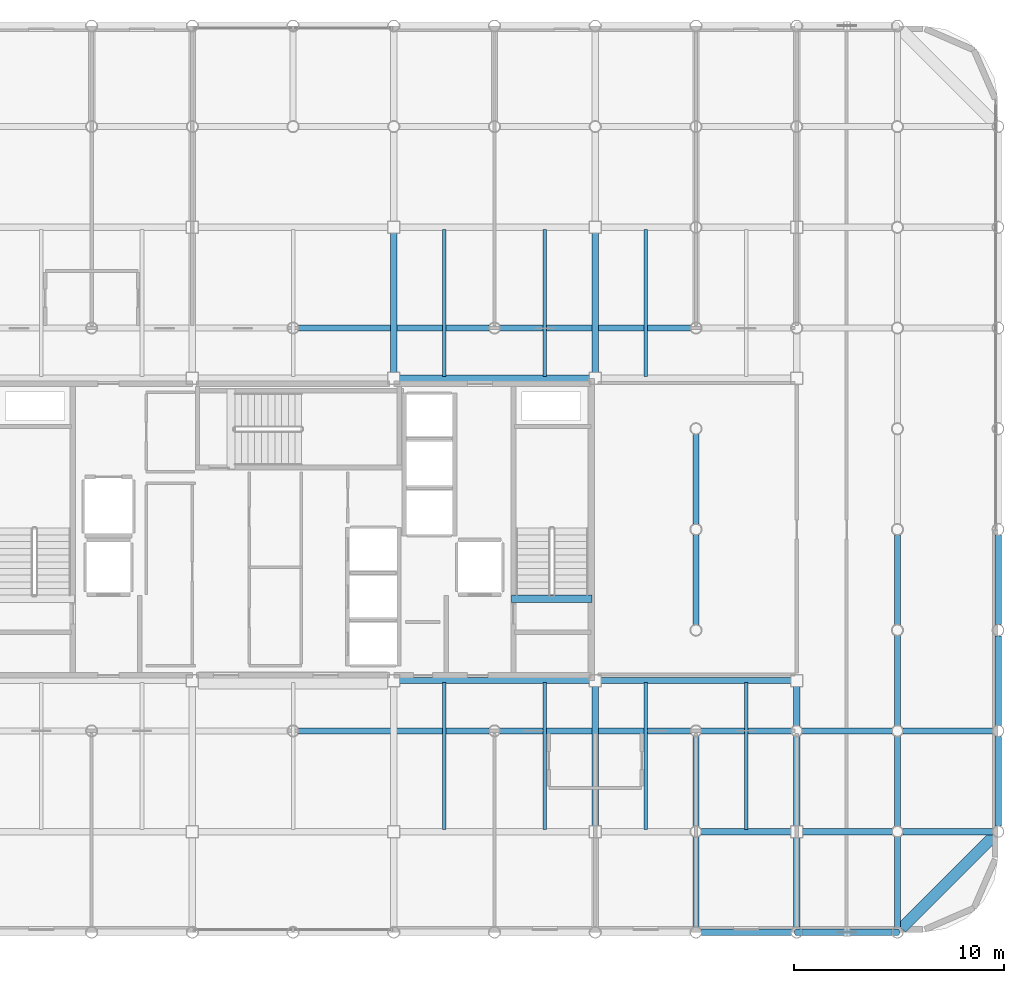
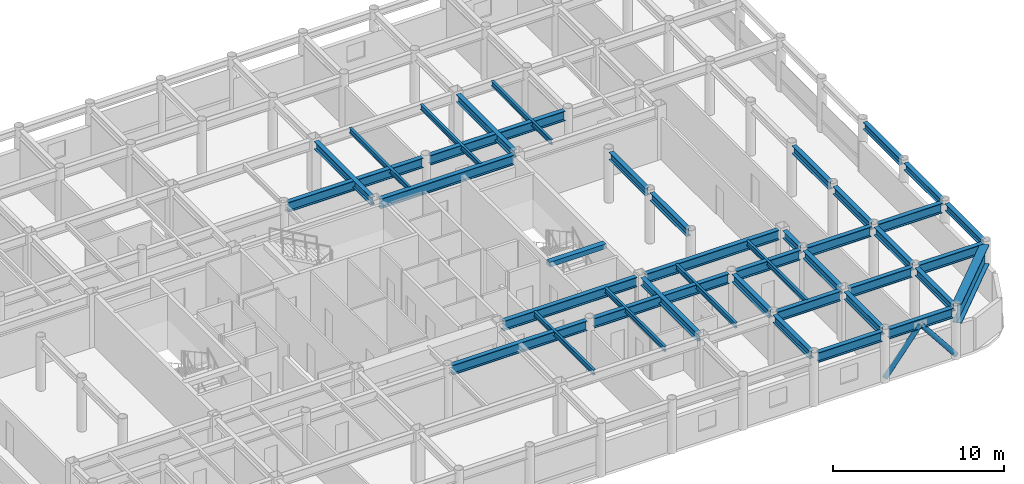
# One storey, part 9 of 22: 41 beams, 2 members.
"""IFC4 building model written with IfcOpenShell, lengths in metres."""

from ifc_helpers import new_model, si_unit, direction, frame, origin, origin_2d, place, context, subcontext, project, spatial, rectangle, hollow_circle, i_section, extrude, material, material_profile, profile_set, type_object, element, save


model = new_model("IFC4")

# Units and contexts
model_context = context("Model", 3, precision=1e-05, world=origin(), true_north=direction((0.0, 1.0)))
body_context = subcontext(model_context, "Body", "Model", "MODEL_VIEW")
ifc_project = project(units=[si_unit("LENGTHUNIT", "METRE"), si_unit("AREAUNIT", "SQUARE_METRE"), si_unit("VOLUMEUNIT", "CUBIC_METRE"), si_unit("PLANEANGLEUNIT", "RADIAN"), si_unit("MASSUNIT", "GRAM", prefix="KILO")], contexts=[model_context])

# Site, building, storey
site_placement = place(None, origin())
site = spatial("IfcSite", under=ifc_project, at=site_placement, CompositionType="ELEMENT")
building_placement = place(site_placement, origin())
building = spatial("IfcBuilding", under=site, at=building_placement, Name="Kallvorn Hotel Tower", CompositionType="ELEMENT")
storey_placement = place(building_placement, frame((0.0, 0.0, 230.0)))
storey = spatial("IfcBuildingStorey", under=building, at=storey_placement, Name="L57", CompositionType="ELEMENT", Elevation=230.0)

# Beams
ifc_material_1 = material(Name="Structural steel S355JR", Category="steel")
ifc_material_profile_1 = material_profile(ifc_material_1, i_section(OverallWidth=0.300048828125, OverallDepth=0.5, WebThickness=0.014404296875, FlangeThickness=0.028076171875, at=origin_2d()), Name="HE 500 B")
ifc_profile_set_1 = profile_set([ifc_material_profile_1], Name="Structural steel S355JR")
beam_type_1 = type_object("IfcBeamType", Name="BM_HE500B", PredefinedType="SPANDREL", material=ifc_profile_set_1)
beam_1_placement = place(storey_placement, frame((33.60009765625, -14.130615234375, 3.419921875), z_axis=(0.0, 1.0, 0.0), x_axis=(-1.0, 0.0, 0.0)))
element("IfcBeam", 1, at=beam_1_placement, inside=storey, type_object=beam_type_1, Name="L58 Perimeter Spandrel 182", PredefinedType="SPANDREL", context=body_context, shape_type="SweptSolid", body=[
    extrude(i_section(OverallWidth=0.300048828125, OverallDepth=0.5, WebThickness=0.014404296875, FlangeThickness=0.028076171875, at=origin_2d()), origin(), (0.0, 0.0, 1.0), 4.26123046875),
])
for number, where, z_axis, x_axis, name in (
    (2, (33.60009765625, -9.33056640625, 3.419921875), (0.0, 1.0, 0.0), (-1.0, 0.0, 0.0), "L58 Perimeter Spandrel 183"),
    (3, (33.60009765625, -4.530517578125, 3.419921875), (0.0, 1.0, 0.0), (-1.0, 0.0, 0.0), "L58 Perimeter Spandrel 184"),
):
    element("IfcBeam", number, at=place(storey_placement, frame(where, z_axis=z_axis, x_axis=x_axis)), inside=storey, type_object=beam_type_1, Name=name, PredefinedType="SPANDREL", context=body_context, shape_type="SweptSolid", body=[
        extrude(i_section(OverallWidth=0.300048828125, OverallDepth=0.5, WebThickness=0.014404296875, FlangeThickness=0.028076171875, at=origin_2d()), origin(), (0.0, 0.0, 1.0), 4.260986328125),
    ])
ifc_material_2 = material(Name="Structural steel S355JR", Category="steel")
ifc_material_profile_2 = material_profile(ifc_material_2, i_section(OverallWidth=0.300048828125, OverallDepth=0.550048828125, WebThickness=0.014892578125, FlangeThickness=0.029052734375, at=origin_2d()), Name="HE 550 B")
ifc_profile_set_2 = profile_set([ifc_material_profile_2], Name="Structural steel S355JR")
beam_type_2 = type_object("IfcBeamType", Name="BM_HE550B", PredefinedType="SPANDREL", material=ifc_profile_set_2)
for number, where, z_axis, x_axis, name in (
    (4, (4.800048828125, 7.47509765625, 3.39501953125), (0.0, 1.0, 0.0), (-1.0, 0.0, 0.0), "L58 Primary Y-Girder 115"),
    (5, (14.39990234375, -14.125, 3.39501953125), (0.0, 1.0, 0.0), (-1.0, 0.0, 0.0), "L58 Primary Y-Girder 122"),
    (6, (14.39990234375, 7.47509765625, 3.39501953125), (0.0, 1.0, 0.0), (-1.0, 0.0, 0.0), "L58 Primary Y-Girder 123"),
):
    element("IfcBeam", number, at=place(storey_placement, frame(where, z_axis=z_axis, x_axis=x_axis)), inside=storey, type_object=beam_type_2, Name=name, PredefinedType="SPANDREL", context=body_context, shape_type="SweptSolid", body=[
        extrude(i_section(OverallWidth=0.300048828125, OverallDepth=0.550048828125, WebThickness=0.014892578125, FlangeThickness=0.029052734375, at=origin_2d()), origin(), (0.0, 0.0, 1.0), 6.64990234375),
    ])
for number, where, z_axis, x_axis, name in (
    (7, (19.199951171875, -18.945556640625, 3.39501953125), (0.0, 1.0, 0.0), (-1.0, 0.0, 0.0), "L58 Primary Y-Girder 126"),
    (8, (19.199951171875, -14.1455078125, 3.39501953125), (0.0, 1.0, 0.0), (-1.0, 0.0, 0.0), "L58 Primary Y-Girder 127"),
    (9, (19.199951171875, -4.54541015625, 3.39501953125), (0.0, 1.0, 0.0), (-1.0, 0.0, 0.0), "L58 Primary Y-Girder 129"),
    (10, (19.199951171875, 0.25439453125, 3.39501953125), (0.0, 1.0, 0.0), (-1.0, 0.0, 0.0), "L58 Primary Y-Girder 130"),
):
    element("IfcBeam", number, at=place(storey_placement, frame(where, z_axis=z_axis, x_axis=x_axis)), inside=storey, type_object=beam_type_2, Name=name, PredefinedType="SPANDREL", context=body_context, shape_type="SweptSolid", body=[
        extrude(i_section(OverallWidth=0.300048828125, OverallDepth=0.550048828125, WebThickness=0.014892578125, FlangeThickness=0.029052734375, at=origin_2d()), origin(), (0.0, 0.0, 1.0), 4.291015625),
    ])
for number, where, z_axis, x_axis, name in (
    (11, (24.0, -18.945556640625, 3.39501953125), (0.0, 1.0, 0.0), (-1.0, 0.0, 0.0), "L58 Primary Y-Girder 135"),
    (12, (24.0, -14.125, 3.39501953125), (0.0, 1.0, 0.0), (-1.0, 0.0, 0.0), "L58 Primary Y-Girder 136"),
):
    element("IfcBeam", number, at=place(storey_placement, frame(where, z_axis=z_axis, x_axis=x_axis)), inside=storey, type_object=beam_type_2, Name=name, PredefinedType="SPANDREL", context=body_context, shape_type="SweptSolid", body=[
        extrude(i_section(OverallWidth=0.300048828125, OverallDepth=0.550048828125, WebThickness=0.014892578125, FlangeThickness=0.029052734375, at=origin_2d()), origin(), (0.0, 0.0, 1.0), 4.2705078125),
    ])
beam_2_placement = place(storey_placement, frame((24.0, -9.345458984375, 3.39501953125), z_axis=(0.0, 1.0, 0.0), x_axis=(-1.0, 0.0, 0.0)))
element("IfcBeam", 13, at=beam_2_placement, inside=storey, type_object=beam_type_2, Name="L58 Primary Y-Girder 137", PredefinedType="SPANDREL", context=body_context, shape_type="SweptSolid", body=[
    extrude(i_section(OverallWidth=0.300048828125, OverallDepth=0.550048828125, WebThickness=0.014892578125, FlangeThickness=0.029052734375, at=origin_2d()), origin(), (0.0, 0.0, 1.0), 1.870361328125),
])
for number, where, z_axis, x_axis, name in (
    (14, (28.800048828125, -18.945556640625, 3.39501953125), (0.0, 1.0, 0.0), (-1.0, 0.0, 0.0), "L58 Primary Y-Girder 142"),
    (15, (28.800048828125, -14.1455078125, 3.39501953125), (0.0, 1.0, 0.0), (-1.0, 0.0, 0.0), "L58 Primary Y-Girder 143"),
    (16, (28.800048828125, -9.345458984375, 3.39501953125), (0.0, 1.0, 0.0), (-1.0, 0.0, 0.0), "L58 Primary Y-Girder 144"),
    (17, (28.800048828125, -4.54541015625, 3.39501953125), (0.0, 1.0, 0.0), (-1.0, 0.0, 0.0), "L58 Primary Y-Girder 145"),
):
    element("IfcBeam", number, at=place(storey_placement, frame(where, z_axis=z_axis, x_axis=x_axis)), inside=storey, type_object=beam_type_2, Name=name, PredefinedType="SPANDREL", context=body_context, shape_type="SweptSolid", body=[
        extrude(i_section(OverallWidth=0.300048828125, OverallDepth=0.550048828125, WebThickness=0.014892578125, FlangeThickness=0.029052734375, at=origin_2d()), origin(), (0.0, 0.0, 1.0), 4.291015625),
    ])
ifc_material_3 = material(Name="Structural steel S355JR", Category="steel")
ifc_material_profile_3 = material_profile(ifc_material_3, i_section(OverallWidth=0.300048828125, OverallDepth=0.699951171875, WebThickness=0.01708984375, FlangeThickness=0.031982421875, at=origin_2d()), Name="HE 700 B")
ifc_profile_set_3 = profile_set([ifc_material_profile_3], Name="Structural steel S355JR")
beam_type_3 = type_object("IfcBeamType", Name="BM_HE700B", PredefinedType="BEAM", material=ifc_profile_set_3)
for number, where, z_axis, x_axis, name in (
    (18, (19.45458984375, -19.199951171875, 3.320068359375), (1.0, 0.0, 0.0), (0.0, 1.0, 0.0), "L58 Primary X-Girder 11"),
    (19, (24.25439453125, -19.199951171875, 3.320068359375), (1.0, 0.0, 0.0), (0.0, 1.0, 0.0), "L58 Primary X-Girder 12"),
):
    element("IfcBeam", number, at=place(storey_placement, frame(where, z_axis=z_axis, x_axis=x_axis)), inside=storey, type_object=beam_type_3, Name=name, PredefinedType="BEAM", context=body_context, shape_type="SweptSolid", body=[
        extrude(i_section(OverallWidth=0.300048828125, OverallDepth=0.699951171875, WebThickness=0.01708984375, FlangeThickness=0.031982421875, at=origin_2d()), origin(), (0.0, 0.0, 1.0), 4.291015625),
    ])
for number, where, z_axis, x_axis, name in (
    (20, (19.45458984375, -14.39990234375, 3.320068359375), (1.0, 0.0, 0.0), (0.0, 1.0, 0.0), "L58 Primary X-Girder 20"),
    (21, (24.27490234375, -14.39990234375, 3.320068359375), (1.0, 0.0, 0.0), (0.0, 1.0, 0.0), "L58 Primary X-Girder 21"),
):
    element("IfcBeam", number, at=place(storey_placement, frame(where, z_axis=z_axis, x_axis=x_axis)), inside=storey, type_object=beam_type_3, Name=name, PredefinedType="BEAM", context=body_context, shape_type="SweptSolid", body=[
        extrude(i_section(OverallWidth=0.300048828125, OverallDepth=0.699951171875, WebThickness=0.01708984375, FlangeThickness=0.031982421875, at=origin_2d()), origin(), (0.0, 0.0, 1.0), 4.2705078125),
    ])
beam_3_placement = place(storey_placement, frame((29.054443359375, -14.39990234375, 3.320068359375), z_axis=(1.0, 0.0, 0.0), x_axis=(0.0, 1.0, 0.0)))
element("IfcBeam", 22, at=beam_3_placement, inside=storey, type_object=beam_type_3, Name="L58 Primary X-Girder 22", PredefinedType="BEAM", context=body_context, shape_type="SweptSolid", body=[
    extrude(i_section(OverallWidth=0.300048828125, OverallDepth=0.699951171875, WebThickness=0.01708984375, FlangeThickness=0.031982421875, at=origin_2d()), origin(), (0.0, 0.0, 1.0), 4.291015625),
])
for number, where, z_axis, x_axis, name in (
    (23, (0.25439453125, -9.60009765625, 3.320068359375), (1.0, 0.0, 0.0), (0.0, 1.0, 0.0), "L58 Primary X-Girder 27"),
    (24, (9.8544921875, -9.60009765625, 3.320068359375), (1.0, 0.0, 0.0), (0.0, 1.0, 0.0), "L58 Primary X-Girder 28"),
):
    element("IfcBeam", number, at=place(storey_placement, frame(where, z_axis=z_axis, x_axis=x_axis)), inside=storey, type_object=beam_type_3, Name=name, PredefinedType="BEAM", context=body_context, shape_type="SweptSolid", body=[
        extrude(i_section(OverallWidth=0.300048828125, OverallDepth=0.699951171875, WebThickness=0.01708984375, FlangeThickness=0.031982421875, at=origin_2d()), origin(), (0.0, 0.0, 1.0), 9.091064453125),
    ])
for number, where, z_axis, x_axis, name in (
    (25, (19.45458984375, -9.60009765625, 3.320068359375), (1.0, 0.0, 0.0), (0.0, 1.0, 0.0), "L58 Primary X-Girder 29"),
    (26, (24.25439453125, -9.60009765625, 3.320068359375), (1.0, 0.0, 0.0), (0.0, 1.0, 0.0), "L58 Primary X-Girder 30"),
    (27, (29.054443359375, -9.60009765625, 3.320068359375), (1.0, 0.0, 0.0), (0.0, 1.0, 0.0), "L58 Primary X-Girder 31"),
):
    element("IfcBeam", number, at=place(storey_placement, frame(where, z_axis=z_axis, x_axis=x_axis)), inside=storey, type_object=beam_type_3, Name=name, PredefinedType="BEAM", context=body_context, shape_type="SweptSolid", body=[
        extrude(i_section(OverallWidth=0.300048828125, OverallDepth=0.699951171875, WebThickness=0.01708984375, FlangeThickness=0.031982421875, at=origin_2d()), origin(), (0.0, 0.0, 1.0), 4.291015625),
    ])
for number, where, z_axis, x_axis, name in (
    (28, (5.074951171875, -7.199951171875, 3.320068359375), (1.0, 0.0, 0.0), (0.0, 1.0, 0.0), "L58 Primary X-Girder 34"),
    (29, (14.675048828125, -7.199951171875, 3.320068359375), (1.0, 0.0, 0.0), (0.0, 1.0, 0.0), "L58 Primary X-Girder 35"),
    (30, (5.074951171875, 7.199951171875, 3.320068359375), (1.0, 0.0, 0.0), (0.0, 1.0, 0.0), "L58 Primary X-Girder 39"),
):
    element("IfcBeam", number, at=place(storey_placement, frame(where, z_axis=z_axis, x_axis=x_axis)), inside=storey, type_object=beam_type_3, Name=name, PredefinedType="BEAM", context=body_context, shape_type="SweptSolid", body=[
        extrude(i_section(OverallWidth=0.300048828125, OverallDepth=0.699951171875, WebThickness=0.01708984375, FlangeThickness=0.031982421875, at=origin_2d()), origin(), (0.0, 0.0, 1.0), 9.050048828125),
    ])
for number, where, z_axis, x_axis, name in (
    (31, (0.25439453125, 9.60009765625, 3.320068359375), (1.0, 0.0, 0.0), (0.0, 1.0, 0.0), "L58 Primary X-Girder 45"),
    (32, (9.8544921875, 9.60009765625, 3.320068359375), (1.0, 0.0, 0.0), (0.0, 1.0, 0.0), "L58 Primary X-Girder 46"),
):
    element("IfcBeam", number, at=place(storey_placement, frame(where, z_axis=z_axis, x_axis=x_axis)), inside=storey, type_object=beam_type_3, Name=name, PredefinedType="BEAM", context=body_context, shape_type="SweptSolid", body=[
        extrude(i_section(OverallWidth=0.300048828125, OverallDepth=0.699951171875, WebThickness=0.01708984375, FlangeThickness=0.031982421875, at=origin_2d()), origin(), (0.0, 0.0, 1.0), 9.091064453125),
    ])
ifc_material_4 = material(Name="Structural steel S355JR", Category="steel")
ifc_material_profile_4 = material_profile(ifc_material_4, i_section(OverallWidth=0.169921875, OverallDepth=0.360107421875, WebThickness=0.008056640625, FlangeThickness=0.0126953125, at=origin_2d()), Name="IPE 360")
ifc_profile_set_4 = profile_set([ifc_material_profile_4], Name="Structural steel S355JR")
beam_type_4 = type_object("IfcBeamType", Name="BM_IPE360", PredefinedType="JOIST", material=ifc_profile_set_4)
for number, where, z_axis, x_axis, name in (
    (33, (7.199951171875, -14.300048828125, 3.489990234375), (0.0, 1.0, 0.0), (-1.0, 0.0, 0.0), "L58 Secondary Composite Joist 202"),
    (34, (7.199951171875, 7.300048828125, 3.489990234375), (0.0, 1.0, 0.0), (-1.0, 0.0, 0.0), "L58 Secondary Composite Joist 203"),
    (35, (12.0, -14.300048828125, 3.489990234375), (0.0, 1.0, 0.0), (-1.0, 0.0, 0.0), "L58 Secondary Composite Joist 204"),
    (36, (12.0, 7.300048828125, 3.489990234375), (0.0, 1.0, 0.0), (-1.0, 0.0, 0.0), "L58 Secondary Composite Joist 205"),
    (37, (16.800048828125, -14.300048828125, 3.489990234375), (0.0, 1.0, 0.0), (-1.0, 0.0, 0.0), "L58 Secondary Composite Joist 206"),
    (38, (16.800048828125, 7.300048828125, 3.489990234375), (0.0, 1.0, 0.0), (-1.0, 0.0, 0.0), "L58 Secondary Composite Joist 207"),
    (39, (21.60009765625, -14.300048828125, 3.489990234375), (0.0, 1.0, 0.0), (-1.0, 0.0, 0.0), "L58 Secondary Composite Joist 208"),
):
    element("IfcBeam", number, at=place(storey_placement, frame(where, z_axis=z_axis, x_axis=x_axis)), inside=storey, type_object=beam_type_4, Name=name, PredefinedType="JOIST", context=body_context, shape_type="SweptSolid", body=[
        extrude(i_section(OverallWidth=0.169921875, OverallDepth=0.360107421875, WebThickness=0.008056640625, FlangeThickness=0.0126953125, at=origin_2d()), origin(), (0.0, 0.0, 1.0), 7.0),
    ])
ifc_material_5 = material(Name="Structural steel S355JR", Category="steel")
ifc_material_profile_5 = material_profile(ifc_material_5, i_section(OverallWidth=0.550048828125, OverallDepth=1.39990234375, WebThickness=0.02490234375, FlangeThickness=0.044921875, at=origin_2d()), Name="PG 1400x550x25x45")
ifc_profile_set_5 = profile_set([ifc_material_profile_5], Name="Structural steel S355JR")
beam_type_5 = type_object("IfcBeamType", Name="BM_PG_1400", PredefinedType="BEAM", material=ifc_profile_set_5)
beam_4_placement = place(storey_placement, frame((33.409423828125, -14.590576171875, 2.969970703125), z_axis=(-0.707106781187, -0.707106781187, 0.0), x_axis=(0.707106781187, -0.707106781187, 0.0)))
element("IfcBeam", 40, at=beam_4_placement, inside=storey, type_object=beam_type_5, Name="L58 Rounded Corner Tie Beam 190", PredefinedType="BEAM", context=body_context, shape_type="SweptSolid", body=[
    extrude(i_section(OverallWidth=0.550048828125, OverallDepth=1.39990234375, WebThickness=0.02490234375, FlangeThickness=0.044921875, at=origin_2d()), origin(), (0.0, 0.0, 1.0), 6.249267578125),
])
ifc_material_6 = material(Name="Concrete C50/60", Category="concrete")
ifc_material_profile_6 = material_profile(ifc_material_6, rectangle(XDim=0.360107421875, YDim=0.340087890625, at=origin_2d()), Name="RC 360x340")
ifc_profile_set_6 = profile_set([ifc_material_profile_6], Name="Concrete C50/60")
beam_type_6 = type_object("IfcBeamType", Name="BM_RC_400x360", PredefinedType="BEAM", material=ifc_profile_set_6)
beam_5_placement = place(storey_placement, frame((14.239990234375, -3.31005859375, 3.5), z_axis=(-1.0, 0.0, 0.0), x_axis=(0.0, -1.0, 0.0)))
element("IfcBeam", 41, at=beam_5_placement, inside=storey, type_object=beam_type_6, Name="L58 Stair ST2 Arrival Trimmer Beam", PredefinedType="BEAM", context=body_context, shape_type="SweptSolid", body=[
    extrude(rectangle(XDim=0.360107421875, YDim=0.340087890625, at=origin_2d()), origin(), (0.0, 0.0, 1.0), 3.820068359375),
])

# Members
ifc_material_7 = material(Name="Structural steel S355J2H", Category="steel")
ifc_material_profile_7 = material_profile(ifc_material_7, hollow_circle(Radius=0.161865234375, WallThickness=0.012451171875, at=origin_2d()), Name="CHS 323.9x12.5")
ifc_profile_set_7 = profile_set([ifc_material_profile_7], Name="Structural steel S355J2H")
member_type = type_object("IfcMemberType", Name="MBR_EXO_CHS323", PredefinedType="BRACE", material=ifc_profile_set_7)
for number, where, z_axis, x_axis, name in (
    (42, (24.012451171875, -19.199951171875, 0.19580078125), (0.620928510901, 0.0, 0.783867198159), (0.0, 1.0, 0.0), "L57 Exoskeleton K-Brace S2A"),
    (43, (28.78759765625, -19.199951171875, 0.19580078125), (-0.620928510901, 0.0, 0.783867198159), (0.0, -1.0, 0.0), "L57 Exoskeleton K-Brace S2B"),
):
    element("IfcMember", number, at=place(storey_placement, frame(where, z_axis=z_axis, x_axis=x_axis)), inside=storey, type_object=member_type, Name=name, PredefinedType="BRACE", context=body_context, shape_type="SweptSolid", body=[
        extrude(hollow_circle(Radius=0.161865234375, WallThickness=0.012451171875, at=origin_2d()), origin(), (0.0, 0.0, 1.0), 3.8251953125),
    ])

save(model, "model.ifc")
